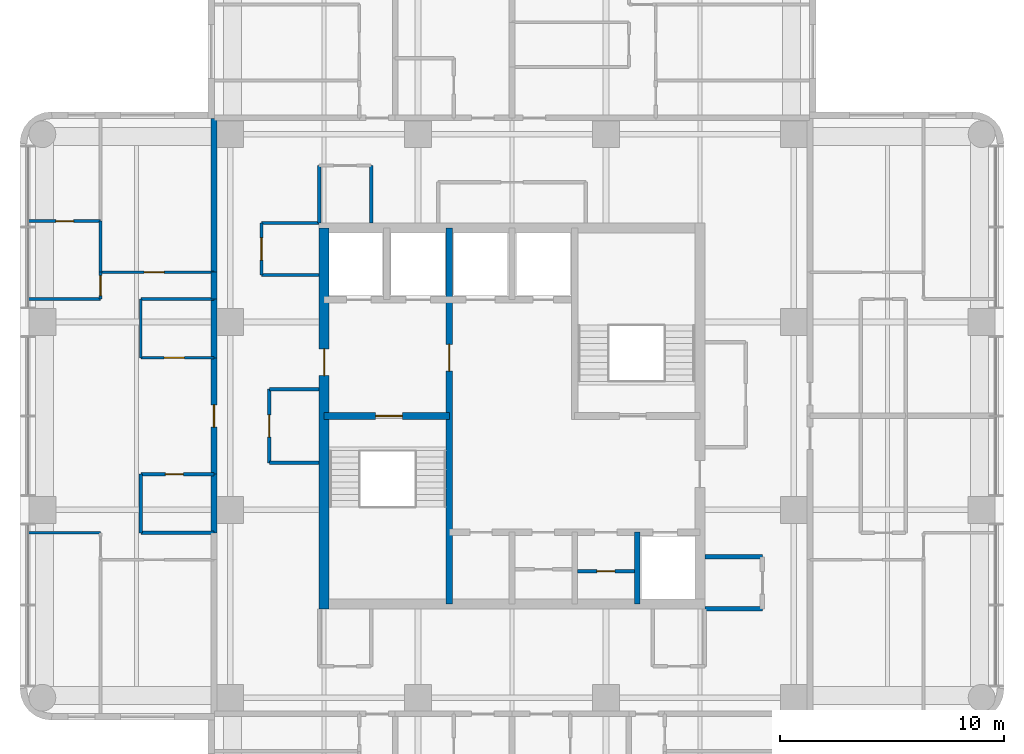
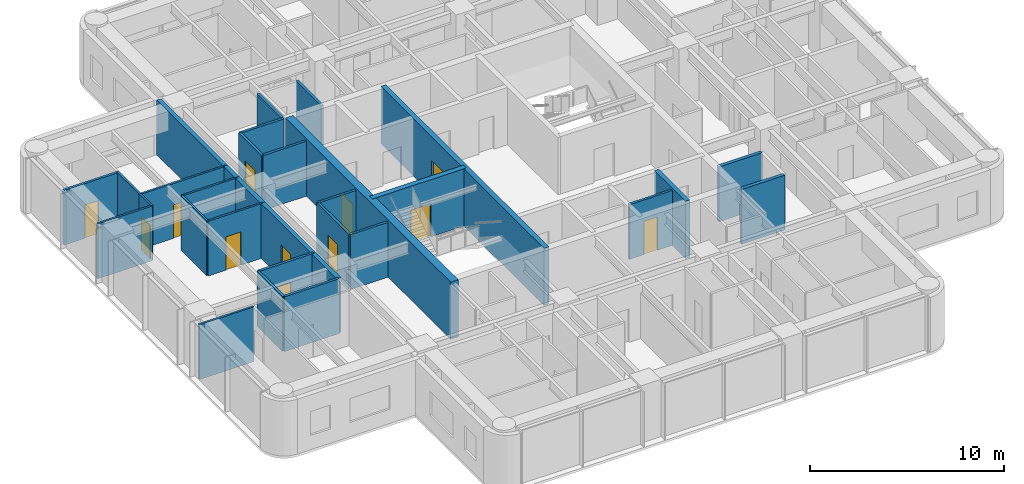
# One storey, part 5 of 10: 32 walls, 12 doors, 12 openings.
"""IFC4 building model written with IfcOpenShell, lengths in metres."""

import ifcopenshell
import ifcopenshell.guid

model = None  # the IFC model being written
_history = None  # IfcOwnerHistory: only IFC2X3 demands one
_inside = {}  # id of a spatial element -> (the spatial element, [elements in it])
_under = {}  # id of a project, library or spatial element -> (it, [spatial elements below it])
_declared = {}  # id of a project -> (the project, [libraries it declares])
_typed = {}  # id of a type object -> (the type object, [elements of that type])
_made_of = {}  # id of a material, layer set ... -> (it, [elements and type objects made of it])


def new_model(schema):
    """Start an empty IFC model of exactly this schema.

    Asked for "IFC4X3", IfcOpenShell would pick the latest addendum, in which some entities
    have other attributes; the version numbers below select the first issue.
    IFC2X3 requires an IfcOwnerHistory on every rooted entity: one is made here for all.
    """
    global model, _history
    if schema == "IFC4X3":
        model = ifcopenshell.file(schema_version=(4, 3, 0, 0))
    else:
        model = ifcopenshell.file(schema=schema)
    _inside.clear()
    _under.clear()
    _declared.clear()
    _typed.clear()
    _made_of.clear()
    _history = None
    if model.schema == "IFC2X3":
        org = make("IfcOrganization", Name="unknown")
        user = make(
            "IfcPersonAndOrganization",
            ThePerson=make("IfcPerson", FamilyName="unknown"),
            TheOrganization=org,
        )
        app = make(
            "IfcApplication",
            ApplicationDeveloper=org,
            Version="unknown",
            ApplicationFullName="unknown",
            ApplicationIdentifier="unknown",
        )
        _history = make(
            "IfcOwnerHistory",
            OwningUser=user,
            OwningApplication=app,
            ChangeAction="ADDED",
            CreationDate=0,
        )
    return model


def make(cls, **values):
    """One entity of the class cls with the attributes given. An attribute that is None is left unset."""
    return model.create_entity(
        cls, **{name: value for name, value in values.items() if value is not None}
    )


def rooted(cls, **values):
    """An entity with a GlobalId (a new one), such as an element, a storey or a relation."""
    return make(cls, GlobalId=ifcopenshell.guid.new(), OwnerHistory=_history, **values)


def si_unit(unit_type, name, prefix=None):
    """IfcSIUnit, for example si_unit("LENGTHUNIT", "METRE", prefix="MILLI")."""
    return make("IfcSIUnit", UnitType=unit_type, Prefix=prefix, Name=name)


def assignment(units):
    """IfcUnitAssignment: the units of a project."""
    return None if units is None else make("IfcUnitAssignment", Units=units)


def point(xyz):
    """IfcCartesianPoint."""
    return None if xyz is None else make("IfcCartesianPoint", Coordinates=xyz)


def direction(xyz):
    """IfcDirection."""
    return None if xyz is None else make("IfcDirection", DirectionRatios=xyz)


def frame(location, z_axis=None, x_axis=None):
    """IfcAxis2Placement3D, a coordinate frame: its origin and axes. An axis left out is left unset."""
    return make(
        "IfcAxis2Placement3D",
        Location=point(location),
        Axis=direction(z_axis),
        RefDirection=direction(x_axis),
    )


def frame_2d(location, x_axis=None):
    """IfcAxis2Placement2D, a coordinate frame in the plane: its origin and x axis."""
    return make(
        "IfcAxis2Placement2D", Location=point(location), RefDirection=direction(x_axis)
    )


def origin():
    """The frame at (0, 0, 0) with its axes left unset."""
    return frame((0.0, 0.0, 0.0))


def place(relative_to, where):
    """IfcLocalPlacement: puts the frame where relative to a parent placement (None: the world)."""
    return make(
        "IfcLocalPlacement", PlacementRelTo=relative_to, RelativePlacement=where
    )


def context(
    kind, dimensions, precision=None, world=None, true_north=None, identifier=None
):
    """IfcGeometricRepresentationContext, for example the 3D "Model" context."""
    return make(
        "IfcGeometricRepresentationContext",
        ContextIdentifier=identifier,
        ContextType=kind,
        CoordinateSpaceDimension=dimensions,
        Precision=precision,
        WorldCoordinateSystem=world,
        TrueNorth=true_north,
    )


def subcontext(parent, identifier, kind, view, scale=None):
    """IfcGeometricRepresentationSubContext, for example "Body" below "Model"."""
    return make(
        "IfcGeometricRepresentationSubContext",
        ContextIdentifier=identifier,
        ContextType=kind,
        ParentContext=parent,
        TargetScale=scale,
        TargetView=view,
    )


def project(units=None, contexts=None):
    """IfcProject with its units and contexts."""
    return rooted(
        "IfcProject",
        Name="project",
        RepresentationContexts=contexts,
        UnitsInContext=assignment(units),
    )


def spatial(cls, under=None, at=None, **own):
    """A site, building, storey or space (cls), placed at a placement, below another one or the project."""
    s = rooted(cls, ObjectPlacement=at, **own)
    if under is not None:
        _under.setdefault(under.id(), (under, []))[1].append(s)
    return s


def profile(cls, at=None, kind="AREA", **sizes):
    """A parametric profile (cls). Its sizes go by their IFC names, for example OverallWidth=200.0."""
    return make(cls, ProfileType=kind, Position=at, **sizes)


def rectangle(**sizes):
    """IfcRectangleProfileDef."""
    return profile("IfcRectangleProfileDef", **sizes)


def extrude(swept, where, along, depth):
    """IfcExtrudedAreaSolid: the profile swept, set in the frame where, extruded along a direction by depth."""
    return make(
        "IfcExtrudedAreaSolid",
        SweptArea=swept,
        Position=where,
        ExtrudedDirection=direction(along),
        Depth=depth,
    )


def shape(context_of_items, identifier, shape_type, items):
    """IfcShapeRepresentation: the items that make up one representation, for example the "Body"."""
    return make(
        "IfcShapeRepresentation",
        ContextOfItems=context_of_items,
        RepresentationIdentifier=identifier,
        RepresentationType=shape_type,
        Items=items,
    )


def material(Name=None, Category=None):
    """IfcMaterial."""
    return make("IfcMaterial", Name=Name, Category=Category)


def layer(
    of_material, thickness, ventilated=None, Name=None, Category=None, Priority=None
):
    """IfcMaterialLayer: one layer of a wall or slab, of a material (None: an air gap)."""
    return make(
        "IfcMaterialLayer",
        Material=of_material,
        LayerThickness=thickness,
        IsVentilated=ventilated,
        Name=Name,
        Category=Category,
        Priority=Priority,
    )


def layer_set(layers, Name=None):
    """IfcMaterialLayerSet."""
    return make("IfcMaterialLayerSet", MaterialLayers=layers, LayerSetName=Name)


def made_of(thing, what):
    """Note that an element or type object is made of a material, layer set ...; save() writes the relation."""
    if what is not None:
        _made_of.setdefault(what.id(), (what, []))[1].append(thing)
    return thing


def type_object(cls, material=None, **own):
    """A type object (cls), such as IfcWallType, which elements share."""
    return made_of(rooted(cls, **own), material)


def element(
    cls,
    number,
    at=None,
    inside=None,
    cuts=None,
    type_object=None,
    material=None,
    context=None,
    identifier="Body",
    shape_type=None,
    held_by="IfcProductDefinitionShape",
    body=None,
    shapes=None,
    **own,
):
    """One element of the class cls, such as IfcWall. Its Tag is "e" and its number.

    at: its placement. inside: the storey or other place that contains it. cuts: it is an
    opening in that element (IfcRelVoidsElement). A single representation is given by context,
    identifier, shape_type and body (its items); several are given by shapes. held_by: the class
    of the entity that holds the representations. save() writes the other relations.
    """
    e = rooted(cls, Tag="e%d" % number, ObjectPlacement=at, **own)
    if body is not None:
        shapes = [shape(context, identifier, shape_type, body)]
    if shapes is not None:
        e.Representation = make(held_by, Representations=shapes)
    if inside is not None:
        _inside.setdefault(inside.id(), (inside, []))[1].append(e)
    if cuts is not None:
        rooted(
            "IfcRelVoidsElement", RelatingBuildingElement=cuts, RelatedOpeningElement=e
        )
    if type_object is not None:
        _typed.setdefault(type_object.id(), (type_object, []))[1].append(e)
    return made_of(e, material)


def fill(opening, filler):
    """IfcRelFillsElement: the door or window that sits in an opening."""
    return rooted(
        "IfcRelFillsElement",
        RelatingOpeningElement=opening,
        RelatedBuildingElement=filler,
    )


def aggregate(whole, parts):
    """IfcRelAggregates: a whole, such as a stair, and the parts it consists of."""
    return rooted("IfcRelAggregates", RelatingObject=whole, RelatedObjects=parts)


def save(model, path):
    """Write the relations noted so far, then the file.

    IfcRelAggregates (storeys below a building ...), IfcRelContainedInSpatialStructure (elements
    in a storey), IfcRelDefinesByType, IfcRelAssociatesMaterial and IfcRelDeclares: one each for
    every whole, place, type object, material and project.
    """
    for whole, parts in _under.values():
        aggregate(whole, parts)
    for where, things in _inside.values():
        rooted(
            "IfcRelContainedInSpatialStructure",
            RelatedElements=things,
            RelatingStructure=where,
        )
    for kind, things in _typed.values():
        rooted("IfcRelDefinesByType", RelatedObjects=things, RelatingType=kind)
    for what, things in _made_of.values():
        rooted("IfcRelAssociatesMaterial", RelatedObjects=things, RelatingMaterial=what)
    for by, libraries in _declared.values():
        rooted("IfcRelDeclares", RelatingContext=by, RelatedDefinitions=libraries)
    model.write(path)


model = new_model("IFC4")

# Units and contexts
model_context = context("Model", 3, precision=1e-05, world=origin(), true_north=direction((0.0, 1.0)))
body_context = subcontext(model_context, "Body", "Model", "MODEL_VIEW")
ifc_project = project(units=[si_unit("LENGTHUNIT", "METRE"), si_unit("AREAUNIT", "SQUARE_METRE"), si_unit("VOLUMEUNIT", "CUBIC_METRE"), si_unit("PLANEANGLEUNIT", "RADIAN"), si_unit("MASSUNIT", "GRAM", prefix="KILO")], contexts=[model_context])

# Site, building, storey
site_placement = place(None, origin())
site = spatial("IfcSite", under=ifc_project, at=site_placement, CompositionType="ELEMENT")
building_placement = place(site_placement, origin())
building = spatial("IfcBuilding", under=site, at=building_placement, Name="Torre Alcanfor", CompositionType="ELEMENT")
storey_placement = place(building_placement, frame((0.0, 0.0, 275.699951171875)))
storey = spatial("IfcBuildingStorey", under=building, at=storey_placement, Name="L72", CompositionType="ELEMENT", Elevation=275.699951171875)

# Wall, opening, door
ifc_material_1 = material(Name="Concrete block masonry, hollow blocks NMX-C-404 9 MPa", Category="masonry")
ifc_layer_1 = layer(ifc_material_1, 0.25)
ifc_layer_set_1 = layer_set([ifc_layer_1], Name="Apartment entrance wall 250 EI 60")
wall_type_1 = type_object("IfcWallType", Name="Apartment entrance wall 250 EI 60", PredefinedType="PARTITIONING", material=ifc_layer_set_1)
wall_1_placement = place(storey_placement, frame((16.074951171875, 26.800048828125, 0.0), z_axis=(0.0, 0.0, 1.0), x_axis=(0.0, 1.0, 0.0)))
wall_1 = element("IfcWall", 1, at=wall_1_placement, inside=storey, type_object=wall_type_1, Name="Partition L72-CORR / L72-WX-ZAG", PredefinedType="PARTITIONING", context=body_context, shape_type="SweptSolid", body=[
    extrude(rectangle(XDim=5.199951171875, YDim=0.25, at=frame_2d((2.60009765625, 0.0))), origin(), (0.0, 0.0, 1.0), 3.449951171875),
])
opening_1_placement = place(wall_1_placement, frame((2.10009765625, 0.0, 0.0)))
opening_1 = element("IfcOpeningElement", 2, at=opening_1_placement, cuts=wall_1, Name="Opening D-A1", PredefinedType="OPENING", context=body_context, shape_type="SweptSolid", body=[
    extrude(rectangle(XDim=1.0, YDim=2.10009765625, at=frame_2d((0.5, 1.050048828125))), frame((0.0, 0.135009765625, 0.0), z_axis=(0.0, -1.0, 0.0), x_axis=(1.0, 0.0, 0.0)), (0.0, 0.0, 1.0), 0.27001953125),
])
ifc_material_2 = material(Name="Galvanised steel sheet ASTM A653", Category="steel")
door_type_1 = type_object("IfcDoorType", Name="Apartment entrance door FD60 1000x2100", OperationType="SINGLE_SWING_LEFT", PredefinedType="DOOR", material=ifc_material_2)
door_1_placement = place(opening_1_placement, origin())
door_1 = element("IfcDoor", 3, at=door_1_placement, inside=storey, type_object=door_type_1, Name="Apartment entrance L72-WX", OperationType="SINGLE_SWING_LEFT", OverallHeight=2.10009765625, OverallWidth=1.0, PredefinedType="DOOR", context=body_context, shape_type="SweptSolid", body=[
    extrude(rectangle(XDim=1.0, YDim=2.10009765625, at=frame_2d((0.5, 1.050048828125))), frame((0.0, 0.02490234375, 0.0), z_axis=(0.0, -1.0, 0.0), x_axis=(1.0, 0.0, 0.0)), (0.0, 0.0, 1.0), 0.050048828125),
])
fill(opening_1, door_1)

# Walls
wall_2_placement = place(storey_placement, frame((16.074951171875, 24.1708984375, 0.0), z_axis=(0.0, 0.0, 1.0), x_axis=(0.0, 1.0, 0.0)))
element("IfcWall", 4, at=wall_2_placement, inside=storey, type_object=wall_type_1, Name="Partition L72-CORR / L72-WX-BATH2", PredefinedType="PARTITIONING", context=body_context, shape_type="SweptSolid", body=[
    extrude(rectangle(XDim=2.629150390625, YDim=0.25, at=frame_2d((1.314453125, 0.0))), origin(), (0.0, 0.0, 1.0), 3.449951171875),
])
wall_3_placement = place(storey_placement, frame((16.074951171875, 32.0, 0.0), z_axis=(0.0, 0.0, 1.0), x_axis=(0.0, 1.0, 0.0)))
element("IfcWall", 5, at=wall_3_placement, inside=storey, type_object=wall_type_1, Name="Partition L72-CORR / L72-WX-KITCHEN", PredefinedType="PARTITIONING", context=body_context, shape_type="SweptSolid", body=[
    extrude(rectangle(XDim=2.62890625, YDim=0.25, at=frame_2d((1.314453125, 0.0))), origin(), (0.0, 0.0, 1.0), 3.449951171875),
])
wall_4_placement = place(storey_placement, frame((16.074951171875, 34.62890625, 0.0), z_axis=(0.0, 0.0, 1.0), x_axis=(0.0, 1.0, 0.0)))
element("IfcWall", 6, at=wall_4_placement, inside=storey, type_object=wall_type_1, Name="Partition L72-CORR / L72-WX-LIVING", PredefinedType="PARTITIONING", context=body_context, shape_type="SweptSolid", body=[
    extrude(rectangle(XDim=1.2001953125, YDim=0.25, at=frame_2d((0.60009765625, 0.0))), origin(), (0.0, 0.0, 1.0), 3.449951171875),
])
wall_5_placement = place(storey_placement, frame((16.074951171875, 35.8291015625, 0.0), z_axis=(0.0, 0.0, 1.0), x_axis=(0.0, 1.0, 0.0)))
element("IfcWall", 7, at=wall_5_placement, inside=storey, type_object=wall_type_1, Name="Partition L72-CORR / L72-WX-BED3", PredefinedType="PARTITIONING", context=body_context, shape_type="SweptSolid", body=[
    extrude(rectangle(XDim=6.870849609375, YDim=0.25, at=frame_2d((3.435546875, 0.0))), origin(), (0.0, 0.0, 1.0), 3.449951171875),
])

# Wall, opening, door
ifc_material_3 = material(Name="Gypsum board on steel studs", Category="steel")
ifc_layer_2 = layer(ifc_material_3, 0.1201171875)
ifc_layer_set_2 = layer_set([ifc_layer_2], Name="Apartment partition 120")
wall_type_2 = type_object("IfcWallType", Name="Apartment partition 120", PredefinedType="PARTITIONING", material=ifc_layer_set_2)
wall_6_placement = place(storey_placement, frame((16.074951171875, 32.0, 0.0), z_axis=(0.0, 0.0, 1.0), x_axis=(-1.0, 0.0, 0.0)))
wall_6 = element("IfcWall", 8, at=wall_6_placement, inside=storey, type_object=wall_type_2, Name="Partition L72-WX-ZAG / L72-WX-KITCHEN", PredefinedType="PARTITIONING", context=body_context, shape_type="SweptSolid", body=[
    extrude(rectangle(XDim=3.27490234375, YDim=0.1201171875, at=frame_2d((1.637451171875, 0.0))), origin(), (0.0, 0.0, 1.0), 3.449951171875),
])
opening_2_placement = place(wall_6_placement, frame((1.324951171875, 0.0, 0.0)))
opening_2 = element("IfcOpeningElement", 9, at=opening_2_placement, cuts=wall_6, Name="Opening D-R1", PredefinedType="OPENING", context=body_context, shape_type="SweptSolid", body=[
    extrude(rectangle(XDim=0.89990234375, YDim=2.10009765625, at=frame_2d((0.449951171875, 1.050048828125))), frame((0.0, 0.070068359375, 0.0), z_axis=(0.0, -1.0, 0.0), x_axis=(1.0, 0.0, 0.0)), (0.0, 0.0, 1.0), 0.14013671875),
])
ifc_material_4 = material(Name="Timber", Category="wood")
door_type_2 = type_object("IfcDoorType", Name="Internal door 900x2100", OperationType="SINGLE_SWING_LEFT", PredefinedType="DOOR", material=ifc_material_4)
door_2_placement = place(opening_2_placement, frame((0.89990234375, 0.0, 0.0), z_axis=(0.0, 0.0, 1.0), x_axis=(-1.0, 0.0, 0.0)))
door_2 = element("IfcDoor", 10, at=door_2_placement, inside=storey, type_object=door_type_2, Name="Door L72-WX kitchen", OperationType="SINGLE_SWING_LEFT", OverallHeight=2.10009765625, OverallWidth=0.89990234375, PredefinedType="DOOR", context=body_context, shape_type="SweptSolid", body=[
    extrude(rectangle(XDim=0.89990234375, YDim=2.10009765625, at=frame_2d((0.449951171875, 1.050048828125))), frame((0.0, 0.025146484375, 0.0), z_axis=(0.0, -1.0, 0.0), x_axis=(1.0, 0.0, 0.0)), (0.0, 0.0, 1.0), 0.050048828125),
])
fill(opening_2, door_2)

# Walls
wall_7_placement = place(storey_placement, frame((16.074951171875, 34.62890625, 0.0), z_axis=(0.0, 0.0, 1.0), x_axis=(-1.0, 0.0, 0.0)))
element("IfcWall", 11, at=wall_7_placement, inside=storey, type_object=wall_type_2, Name="Partition L72-WX-KITCHEN / L72-WX-LIVING", PredefinedType="PARTITIONING", context=body_context, shape_type="SweptSolid", body=[
    extrude(rectangle(XDim=3.27490234375, YDim=0.1201171875, at=frame_2d((1.637451171875, 0.0))), origin(), (0.0, 0.0, 1.0), 3.449951171875),
])
wall_8_placement = place(storey_placement, frame((12.800048828125, 34.62890625, 0.0), z_axis=(0.0, 0.0, 1.0), x_axis=(0.0, -1.0, 0.0)))
element("IfcWall", 12, at=wall_8_placement, inside=storey, type_object=wall_type_2, Name="Partition L72-WX-KITCHEN / L72-WX-LIVING", PredefinedType="PARTITIONING", context=body_context, shape_type="SweptSolid", body=[
    extrude(rectangle(XDim=2.62890625, YDim=0.1201171875, at=frame_2d((1.314453125, 0.0))), origin(), (0.0, 0.0, 1.0), 3.449951171875),
])
wall_9_placement = place(storey_placement, frame((11.0, 24.1708984375, 0.0), z_axis=(0.0, 0.0, 1.0), x_axis=(-1.0, 0.0, 0.0)))
element("IfcWall", 13, at=wall_9_placement, inside=storey, type_object=wall_type_2, Name="Partition L72-WX-LIVING / L72-WX-MASTER", PredefinedType="PARTITIONING", context=body_context, shape_type="SweptSolid", body=[
    extrude(rectangle(XDim=3.25, YDim=0.1201171875, at=frame_2d((1.625, 0.0))), origin(), (0.0, 0.0, 1.0), 3.449951171875),
])

# Wall, opening, door
wall_10_placement = place(storey_placement, frame((11.0, 35.8291015625, 0.0), z_axis=(0.0, 0.0, 1.0), x_axis=(1.0, 0.0, 0.0)))
wall_10 = element("IfcWall", 14, at=wall_10_placement, inside=storey, type_object=wall_type_2, Name="Partition L72-WX-LIVING / L72-WX-BED3", PredefinedType="PARTITIONING", context=body_context, shape_type="SweptSolid", body=[
    extrude(rectangle(XDim=5.074951171875, YDim=0.1201171875, at=frame_2d((2.53759765625, 0.0))), origin(), (0.0, 0.0, 1.0), 3.449951171875),
])
opening_3_placement = place(wall_10_placement, frame((1.949951171875, 0.0, 0.0)))
opening_3 = element("IfcOpeningElement", 15, at=opening_3_placement, cuts=wall_10, Name="Opening D-R1", PredefinedType="OPENING", context=body_context, shape_type="SweptSolid", body=[
    extrude(rectangle(XDim=0.89990234375, YDim=2.10009765625, at=frame_2d((0.449951171875, 1.050048828125))), frame((0.0, 0.070068359375, 0.0), z_axis=(0.0, -1.0, 0.0), x_axis=(1.0, 0.0, 0.0)), (0.0, 0.0, 1.0), 0.14013671875),
])
door_3_placement = place(opening_3_placement, origin())
door_3 = element("IfcDoor", 16, at=door_3_placement, inside=storey, type_object=door_type_2, Name="Door L72-WX bed3", OperationType="SINGLE_SWING_LEFT", OverallHeight=2.10009765625, OverallWidth=0.89990234375, PredefinedType="DOOR", context=body_context, shape_type="SweptSolid", body=[
    extrude(rectangle(XDim=0.89990234375, YDim=2.10009765625, at=frame_2d((0.449951171875, 1.050048828125))), frame((0.0, 0.02490234375, 0.0), z_axis=(0.0, -1.0, 0.0), x_axis=(1.0, 0.0, 0.0)), (0.0, 0.0, 1.0), 0.050048828125),
])
fill(opening_3, door_3)

# Wall
wall_11_placement = place(storey_placement, frame((7.75, 34.62890625, 0.0), z_axis=(0.0, 0.0, 1.0), x_axis=(1.0, 0.0, 0.0)))
element("IfcWall", 17, at=wall_11_placement, inside=storey, type_object=wall_type_2, Name="Partition L72-WX-LIVING / L72-WX-BED1", PredefinedType="PARTITIONING", context=body_context, shape_type="SweptSolid", body=[
    extrude(rectangle(XDim=3.25, YDim=0.1201171875, at=frame_2d((1.625, 0.0))), origin(), (0.0, 0.0, 1.0), 3.449951171875),
])

# Wall, opening, door
wall_12_placement = place(storey_placement, frame((11.0, 34.62890625, 0.0), z_axis=(0.0, 0.0, 1.0), x_axis=(0.0, 1.0, 0.0)))
wall_12 = element("IfcWall", 18, at=wall_12_placement, inside=storey, type_object=wall_type_2, Name="Partition L72-WX-LIVING / L72-WX-BED1", PredefinedType="PARTITIONING", context=body_context, shape_type="SweptSolid", body=[
    extrude(rectangle(XDim=1.2001953125, YDim=0.1201171875, at=frame_2d((0.60009765625, 0.0))), origin(), (0.0, 0.0, 1.0), 3.449951171875),
])
opening_4_placement = place(wall_12_placement, frame((0.15087890625, 0.0, 0.0)))
opening_4 = element("IfcOpeningElement", 19, at=opening_4_placement, cuts=wall_12, Name="Opening D-R1", PredefinedType="OPENING", context=body_context, shape_type="SweptSolid", body=[
    extrude(rectangle(XDim=0.89990234375, YDim=2.10009765625, at=frame_2d((0.449951171875, 1.050048828125))), frame((0.0, 0.070068359375, 0.0), z_axis=(0.0, -1.0, 0.0), x_axis=(1.0, 0.0, 0.0)), (0.0, 0.0, 1.0), 0.14013671875),
])
door_4_placement = place(opening_4_placement, origin())
door_4 = element("IfcDoor", 20, at=door_4_placement, inside=storey, type_object=door_type_2, Name="Door L72-WX bed1", OperationType="SINGLE_SWING_LEFT", OverallHeight=2.10009765625, OverallWidth=0.89990234375, PredefinedType="DOOR", context=body_context, shape_type="SweptSolid", body=[
    extrude(rectangle(XDim=0.89990234375, YDim=2.10009765625, at=frame_2d((0.449951171875, 1.050048828125))), frame((0.0, 0.02490234375, 0.0), z_axis=(0.0, -1.0, 0.0), x_axis=(1.0, 0.0, 0.0)), (0.0, 0.0, 1.0), 0.050048828125),
])
fill(opening_4, door_4)

# Wall
wall_13_placement = place(storey_placement, frame((11.0, 38.114013671875, 0.0), z_axis=(0.0, 0.0, 1.0), x_axis=(0.0, -1.0, 0.0)))
element("IfcWall", 21, at=wall_13_placement, inside=storey, type_object=wall_type_2, Name="Partition L72-WX-BED3 / L72-WX-BED1", PredefinedType="PARTITIONING", context=body_context, shape_type="SweptSolid", body=[
    extrude(rectangle(XDim=2.284912109375, YDim=0.1201171875, at=frame_2d((1.142578125, 0.0))), origin(), (0.0, 0.0, 1.0), 3.449951171875),
])

# Wall, opening, door
ifc_material_5 = material(Name="Concrete f'c 70 MPa", Category="concrete")
ifc_layer_3 = layer(ifc_material_5, 0.300048828125)
ifc_layer_set_3 = layer_set([ifc_layer_3], Name="Core inner wall 300 f'c70")
wall_type_3 = type_object("IfcWallType", Name="Core inner wall 300 f'c70", PredefinedType="SHEAR", material=ifc_layer_set_3)
wall_14_placement = place(storey_placement, frame((26.60009765625, 21.0, 0.0), z_axis=(0.0, 0.0, 1.0), x_axis=(0.0, 1.0, 0.0)))
wall_14 = element("IfcWall", 22, at=wall_14_placement, inside=storey, type_object=wall_type_3, Name="Core wall X266 L72", PredefinedType="SHEAR", context=body_context, shape_type="SweptSolid", body=[
    extrude(rectangle(XDim=16.800048828125, YDim=0.300048828125, at=frame_2d((8.39990234375, 0.0))), origin(), (0.0, 0.0, 1.0), 3.60009765625),
])
opening_5_placement = place(wall_14_placement, frame((10.39990234375, 0.0, 0.0)))
opening_5 = element("IfcOpeningElement", 23, at=opening_5_placement, cuts=wall_14, Name="Opening D-L1", PredefinedType="OPENING", context=body_context, shape_type="SweptSolid", body=[
    extrude(rectangle(XDim=1.199951171875, YDim=2.10009765625, at=frame_2d((0.60009765625, 1.050048828125))), frame((0.0, 0.159912109375, 0.0), z_axis=(0.0, -1.0, 0.0), x_axis=(1.0, 0.0, 0.0)), (0.0, 0.0, 1.0), 0.320068359375),
])
ifc_material_6 = material(Name="Galvanised steel sheet ASTM A653", Category="steel")
door_type_3 = type_object("IfcDoorType", Name="Lobby door FD120 1200x2100", OperationType="SINGLE_SWING_LEFT", PredefinedType="DOOR", material=ifc_material_6)
door_5_placement = place(opening_5_placement, origin())
door_5 = element("IfcDoor", 24, at=door_5_placement, inside=storey, type_object=door_type_3, Name="Lift lobby door L72", OperationType="SINGLE_SWING_LEFT", OverallHeight=2.10009765625, OverallWidth=1.199951171875, PredefinedType="DOOR", context=body_context, shape_type="SweptSolid", body=[
    extrude(rectangle(XDim=1.199951171875, YDim=2.10009765625, at=frame_2d((0.60009765625, 1.050048828125))), frame((0.0, 0.02490234375, 0.0), z_axis=(0.0, -1.0, 0.0), x_axis=(1.0, 0.0, 0.0)), (0.0, 0.0, 1.0), 0.050048828125),
])
fill(opening_5, door_5)

wall_15_placement = place(storey_placement, frame((21.0, 29.39990234375, 0.0), z_axis=(0.0, 0.0, 1.0), x_axis=(1.0, 0.0, 0.0)))
wall_15 = element("IfcWall", 25, at=wall_15_placement, inside=storey, type_object=wall_type_3, Name="Core wall Y294W L72", PredefinedType="SHEAR", context=body_context, shape_type="SweptSolid", body=[
    extrude(rectangle(XDim=5.60009765625, YDim=0.300048828125, at=frame_2d((2.800048828125, 0.0))), origin(), (0.0, 0.0, 1.0), 3.60009765625),
])
opening_6_placement = place(wall_15_placement, frame((2.300048828125, 0.0, 0.0)))
opening_6 = element("IfcOpeningElement", 26, at=opening_6_placement, cuts=wall_15, Name="Opening D-S2", PredefinedType="OPENING", context=body_context, shape_type="SweptSolid", body=[
    extrude(rectangle(XDim=1.199951171875, YDim=2.10009765625, at=frame_2d((0.60009765625, 1.050048828125))), frame((0.0, 0.159912109375, 0.0), z_axis=(0.0, -1.0, 0.0), x_axis=(1.0, 0.0, 0.0)), (0.0, 0.0, 1.0), 0.320068359375),
])
ifc_material_7 = material(Name="Galvanised steel sheet ASTM A653", Category="steel")
door_type_4 = type_object("IfcDoorType", Name="Stair enclosure door FD120 1200x2100", OperationType="SINGLE_SWING_LEFT", PredefinedType="DOOR", material=ifc_material_7)
door_6_placement = place(opening_6_placement, frame((1.199951171875, 0.0, 0.0), z_axis=(0.0, 0.0, 1.0), x_axis=(-1.0, 0.0, 0.0)))
door_6 = element("IfcDoor", 27, at=door_6_placement, inside=storey, type_object=door_type_4, Name="Stair S1 door L72", OperationType="SINGLE_SWING_LEFT", OverallHeight=2.10009765625, OverallWidth=1.199951171875, PredefinedType="DOOR", context=body_context, shape_type="SweptSolid", body=[
    extrude(rectangle(XDim=1.199951171875, YDim=2.10009765625, at=frame_2d((0.599853515625, 1.050048828125))), frame((0.0, 0.025146484375, 0.0), z_axis=(0.0, -1.0, 0.0), x_axis=(1.0, 0.0, 0.0)), (0.0, 0.0, 1.0), 0.050048828125),
])
fill(opening_6, door_6)

# Wall
ifc_material_8 = material(Name="Concrete f'c 70 MPa", Category="concrete")
ifc_layer_4 = layer(ifc_material_8, 0.25)
ifc_layer_set_4 = layer_set([ifc_layer_4], Name="Core shaft wall 250 f'c70")
wall_type_4 = type_object("IfcWallType", Name="Core shaft wall 250 f'c70", PredefinedType="SHEAR", material=ifc_layer_set_4)
wall_16_placement = place(storey_placement, frame((35.0, 21.0, 0.0), z_axis=(0.0, 0.0, 1.0), x_axis=(0.0, 1.0, 0.0)))
element("IfcWall", 28, at=wall_16_placement, inside=storey, type_object=wall_type_4, Name="Core wall X350S L72", PredefinedType="SHEAR", context=body_context, shape_type="SweptSolid", body=[
    extrude(rectangle(XDim=3.199951171875, YDim=0.25, at=frame_2d((1.60009765625, 0.0))), origin(), (0.0, 0.0, 1.0), 3.60009765625),
])

# Wall, opening, door
ifc_material_9 = material(Name="Concrete f'c 70 MPa", Category="concrete")
ifc_layer_5 = layer(ifc_material_9, 0.449951171875)
ifc_layer_set_5 = layer_set([ifc_layer_5], Name="Core wall 450 f'c70")
wall_type_5 = type_object("IfcWallType", Name="Core wall 450 f'c70", PredefinedType="SHEAR", material=ifc_layer_set_5)
wall_17_placement = place(storey_placement, frame((21.0, 37.800048828125, 0.0), z_axis=(0.0, 0.0, 1.0), x_axis=(0.0, -1.0, 0.0)))
wall_17 = element("IfcWall", 29, at=wall_17_placement, inside=storey, type_object=wall_type_5, Name="Core wall OUT-W L72", PredefinedType="SHEAR", context=body_context, shape_type="SweptSolid", body=[
    extrude(rectangle(XDim=17.025146484375, YDim=0.449951171875, at=frame_2d((8.5126953125, 0.0))), origin(), (0.0, 0.0, 1.0), 3.60009765625),
])
opening_7_placement = place(wall_17_placement, frame((5.39990234375, 0.0, 0.0)))
opening_7 = element("IfcOpeningElement", 30, at=opening_7_placement, cuts=wall_17, Name="Opening D-L1", PredefinedType="OPENING", context=body_context, shape_type="SweptSolid", body=[
    extrude(rectangle(XDim=1.199951171875, YDim=2.10009765625, at=frame_2d((0.60009765625, 1.050048828125))), frame((0.0, 0.23486328125, 0.0), z_axis=(0.0, -1.0, 0.0), x_axis=(1.0, 0.0, 0.0)), (0.0, 0.0, 1.0), 0.469970703125),
])
door_7_placement = place(opening_7_placement, origin())
door_7 = element("IfcDoor", 31, at=door_7_placement, inside=storey, type_object=door_type_3, Name="Firefighting lobby door L72", OperationType="SINGLE_SWING_RIGHT", OverallHeight=2.10009765625, OverallWidth=1.199951171875, PredefinedType="DOOR", context=body_context, shape_type="SweptSolid", body=[
    extrude(rectangle(XDim=1.199951171875, YDim=2.10009765625, at=frame_2d((0.60009765625, 1.050048828125))), frame((0.0, 0.02490234375, 0.0), z_axis=(0.0, -1.0, 0.0), x_axis=(1.0, 0.0, 0.0)), (0.0, 0.0, 1.0), 0.050048828125),
])
fill(opening_7, door_7)

# Walls
ifc_material_10 = material(Name="Concrete block masonry, hollow blocks NMX-C-404 9 MPa", Category="masonry")
ifc_layer_6 = layer(ifc_material_10, 0.199951171875)
ifc_layer_set_6 = layer_set([ifc_layer_6], Name="Plant room wall 200 EI 60")
wall_type_6 = type_object("IfcWallType", Name="Plant room wall 200 EI 60", PredefinedType="PARTITIONING", material=ifc_layer_set_6)
for number, where, z_axis, x_axis, name in (
    (32, (38.02490234375, 20.77490234375, 0.0), (0.0, 0.0, 1.0), (1.0, 0.0, 0.0), "Partition L72-CORR / L72-G03"),
    (33, (40.60009765625, 23.10009765625, 0.0), (0.0, 0.0, 1.0), (-1.0, 0.0, 0.0), "Partition L72-CORR / L72-G03"),
):
    element("IfcWall", number, at=place(storey_placement, frame(where, z_axis=z_axis, x_axis=x_axis)), inside=storey, type_object=wall_type_6, Name=name, PredefinedType="PARTITIONING", context=body_context, shape_type="SweptSolid", body=[
        extrude(rectangle(XDim=2.5751953125, YDim=0.199951171875, at=frame_2d((1.28759765625, 0.0))), origin(), (0.0, 0.0, 1.0), 3.449951171875),
    ])
ifc_material_11 = material(Name="Concrete block masonry, hollow blocks NMX-C-404 9 MPa", Category="masonry")
ifc_layer_7 = layer(ifc_material_11, 0.14990234375)
ifc_layer_set_7 = layer_set([ifc_layer_7], Name="Residents' room partition 150")
wall_type_7 = type_object("IfcWallType", Name="Residents' room partition 150", PredefinedType="PARTITIONING", material=ifc_layer_set_7)
for number, where, z_axis, x_axis, name in (
    (34, (23.10009765625, 38.02490234375, 0.0), (0.0, 0.0, 1.0), (0.0, 1.0, 0.0), "Partition L72-CORR / L72-G01"),
    (35, (20.77490234375, 40.60009765625, 0.0), (0.0, 0.0, 1.0), (0.0, -1.0, 0.0), "Partition L72-CORR / L72-G01"),
):
    element("IfcWall", number, at=place(storey_placement, frame(where, z_axis=z_axis, x_axis=x_axis)), inside=storey, type_object=wall_type_7, Name=name, PredefinedType="PARTITIONING", context=body_context, shape_type="SweptSolid", body=[
        extrude(rectangle(XDim=2.5751953125, YDim=0.14990234375, at=frame_2d((1.28759765625, 0.0))), origin(), (0.0, 0.0, 1.0), 3.449951171875),
    ])
wall_18_placement = place(storey_placement, frame((20.77490234375, 30.60009765625, 0.0), z_axis=(0.0, 0.0, 1.0), x_axis=(-1.0, 0.0, 0.0)))
element("IfcWall", 36, at=wall_18_placement, inside=storey, type_object=wall_type_7, Name="Partition L72-CORR / L72-G07", PredefinedType="PARTITIONING", context=body_context, shape_type="SweptSolid", body=[
    extrude(rectangle(XDim=2.224853515625, YDim=0.14990234375, at=frame_2d((1.1123046875, 0.0))), origin(), (0.0, 0.0, 1.0), 3.449951171875),
])

# Wall, opening, door
wall_19_placement = place(storey_placement, frame((18.550048828125, 30.60009765625, 0.0), z_axis=(0.0, 0.0, 1.0), x_axis=(0.0, -1.0, 0.0)))
wall_19 = element("IfcWall", 37, at=wall_19_placement, inside=storey, type_object=wall_type_7, Name="Partition L72-CORR / L72-G07", PredefinedType="PARTITIONING", context=body_context, shape_type="SweptSolid", body=[
    extrude(rectangle(XDim=3.300048828125, YDim=0.14990234375, at=frame_2d((1.64990234375, 0.0))), origin(), (0.0, 0.0, 1.0), 3.449951171875),
])
opening_8_placement = place(wall_19_placement, frame((1.14990234375, 0.0, 0.0)))
opening_8 = element("IfcOpeningElement", 38, at=opening_8_placement, cuts=wall_19, Name="Opening D-M1", PredefinedType="OPENING", context=body_context, shape_type="SweptSolid", body=[
    extrude(rectangle(XDim=1.0, YDim=2.10009765625, at=frame_2d((0.5, 1.050048828125))), frame((0.0, 0.0849609375, 0.0), z_axis=(0.0, -1.0, 0.0), x_axis=(1.0, 0.0, 0.0)), (0.0, 0.0, 1.0), 0.169921875),
])
ifc_material_12 = material(Name="Timber", Category="wood")
door_type_5 = type_object("IfcDoorType", Name="Residents' room door 1000x2100", OperationType="SINGLE_SWING_LEFT", PredefinedType="DOOR", material=ifc_material_12)
door_8_placement = place(opening_8_placement, origin())
door_8 = element("IfcDoor", 39, at=door_8_placement, inside=storey, type_object=door_type_5, Name="Door L72-G07 parcel room", OperationType="SINGLE_SWING_LEFT", OverallHeight=2.10009765625, OverallWidth=1.0, PredefinedType="DOOR", context=body_context, shape_type="SweptSolid", body=[
    extrude(rectangle(XDim=1.0, YDim=2.10009765625, at=frame_2d((0.5, 1.050048828125))), frame((0.0, 0.02490234375, 0.0), z_axis=(0.0, -1.0, 0.0), x_axis=(1.0, 0.0, 0.0)), (0.0, 0.0, 1.0), 0.050048828125),
])
fill(opening_8, door_8)

# Walls
wall_20_placement = place(storey_placement, frame((18.550048828125, 27.300048828125, 0.0), z_axis=(0.0, 0.0, 1.0), x_axis=(1.0, 0.0, 0.0)))
element("IfcWall", 40, at=wall_20_placement, inside=storey, type_object=wall_type_7, Name="Partition L72-CORR / L72-G07", PredefinedType="PARTITIONING", context=body_context, shape_type="SweptSolid", body=[
    extrude(rectangle(XDim=2.224853515625, YDim=0.14990234375, at=frame_2d((1.1123046875, 0.0))), origin(), (0.0, 0.0, 1.0), 3.449951171875),
])
wall_21_placement = place(storey_placement, frame((20.77490234375, 38.02490234375, 0.0), z_axis=(0.0, 0.0, 1.0), x_axis=(-1.0, 0.0, 0.0)))
element("IfcWall", 41, at=wall_21_placement, inside=storey, type_object=wall_type_7, Name="Partition L72-CORR / L72-G08", PredefinedType="PARTITIONING", context=body_context, shape_type="SweptSolid", body=[
    extrude(rectangle(XDim=2.574951171875, YDim=0.14990234375, at=frame_2d((1.28759765625, 0.0))), origin(), (0.0, 0.0, 1.0), 3.449951171875),
])

# Wall, opening, door
wall_22_placement = place(storey_placement, frame((18.199951171875, 38.02490234375, 0.0), z_axis=(0.0, 0.0, 1.0), x_axis=(0.0, -1.0, 0.0)))
wall_22 = element("IfcWall", 42, at=wall_22_placement, inside=storey, type_object=wall_type_7, Name="Partition L72-CORR / L72-G08", PredefinedType="PARTITIONING", context=body_context, shape_type="SweptSolid", body=[
    extrude(rectangle(XDim=2.324951171875, YDim=0.14990234375, at=frame_2d((1.16259765625, 0.0))), origin(), (0.0, 0.0, 1.0), 3.449951171875),
])
opening_9_placement = place(wall_22_placement, frame((0.66259765625, 0.0, 0.0)))
opening_9 = element("IfcOpeningElement", 43, at=opening_9_placement, cuts=wall_22, Name="Opening D-M1", PredefinedType="OPENING", context=body_context, shape_type="SweptSolid", body=[
    extrude(rectangle(XDim=1.0, YDim=2.10009765625, at=frame_2d((0.5, 1.050048828125))), frame((0.0, 0.0849609375, 0.0), z_axis=(0.0, -1.0, 0.0), x_axis=(1.0, 0.0, 0.0)), (0.0, 0.0, 1.0), 0.169921875),
])
door_9_placement = place(opening_9_placement, origin())
door_9 = element("IfcDoor", 44, at=door_9_placement, inside=storey, type_object=door_type_5, Name="Door L72-G08 parcel room", OperationType="SINGLE_SWING_LEFT", OverallHeight=2.10009765625, OverallWidth=1.0, PredefinedType="DOOR", context=body_context, shape_type="SweptSolid", body=[
    extrude(rectangle(XDim=1.0, YDim=2.10009765625, at=frame_2d((0.5, 1.050048828125))), frame((0.0, 0.02490234375, 0.0), z_axis=(0.0, -1.0, 0.0), x_axis=(1.0, 0.0, 0.0)), (0.0, 0.0, 1.0), 0.050048828125),
])
fill(opening_9, door_9)

# Wall
wall_23_placement = place(storey_placement, frame((18.199951171875, 35.699951171875, 0.0), z_axis=(0.0, 0.0, 1.0), x_axis=(1.0, 0.0, 0.0)))
element("IfcWall", 45, at=wall_23_placement, inside=storey, type_object=wall_type_7, Name="Partition L72-CORR / L72-G08", PredefinedType="PARTITIONING", context=body_context, shape_type="SweptSolid", body=[
    extrude(rectangle(XDim=2.574951171875, YDim=0.14990234375, at=frame_2d((1.28759765625, 0.0))), origin(), (0.0, 0.0, 1.0), 3.449951171875),
])

# Wall, opening, door
wall_24_placement = place(storey_placement, frame((32.324951171875, 22.449951171875, 0.0), z_axis=(0.0, 0.0, 1.0), x_axis=(1.0, 0.0, 0.0)))
wall_24 = element("IfcWall", 46, at=wall_24_placement, inside=storey, type_object=wall_type_7, Name="Partition L72-PA3R / L72-PA3C", PredefinedType="PARTITIONING", context=body_context, shape_type="SweptSolid", body=[
    extrude(rectangle(XDim=2.550048828125, YDim=0.14990234375, at=frame_2d((1.27490234375, 0.0))), origin(), (0.0, 0.0, 1.0), 3.449951171875),
])
opening_10_placement = place(wall_24_placement, frame((0.875, 0.0, 0.0)))
opening_10 = element("IfcOpeningElement", 47, at=opening_10_placement, cuts=wall_24, Name="Opening D-R2", PredefinedType="OPENING", context=body_context, shape_type="SweptSolid", body=[
    extrude(rectangle(XDim=0.800048828125, YDim=2.10009765625, at=frame_2d((0.39990234375, 1.050048828125))), frame((0.0, 0.0849609375, 0.0), z_axis=(0.0, -1.0, 0.0), x_axis=(1.0, 0.0, 0.0)), (0.0, 0.0, 1.0), 0.169921875),
])
ifc_material_13 = material(Name="Timber", Category="wood")
door_type_6 = type_object("IfcDoorType", Name="Bathroom door 800x2100", OperationType="SINGLE_SWING_LEFT", PredefinedType="DOOR", material=ifc_material_13)
door_10_placement = place(opening_10_placement, frame((0.800048828125, 0.0, 0.0), z_axis=(0.0, 0.0, 1.0), x_axis=(-1.0, 0.0, 0.0)))
door_10 = element("IfcDoor", 48, at=door_10_placement, inside=storey, type_object=door_type_6, Name="Records cupboard door L72", OperationType="SINGLE_SWING_RIGHT", OverallHeight=2.10009765625, OverallWidth=0.800048828125, PredefinedType="DOOR", context=body_context, shape_type="SweptSolid", body=[
    extrude(rectangle(XDim=0.800048828125, YDim=2.10009765625, at=frame_2d((0.400146484375, 1.050048828125))), frame((0.0, 0.025146484375, 0.0), z_axis=(0.0, -1.0, 0.0), x_axis=(1.0, 0.0, 0.0)), (0.0, 0.0, 1.0), 0.050048828125),
])
fill(opening_10, door_10)

ifc_material_14 = material(Name="Cement board on steel studs", Category="steel")
ifc_layer_8 = layer(ifc_material_14, 0.14990234375)
ifc_layer_set_8 = layer_set([ifc_layer_8], Name="Wet area partition 150")
wall_type_8 = type_object("IfcWallType", Name="Wet area partition 150", PredefinedType="PARTITIONING", material=ifc_layer_set_8)
wall_25_placement = place(storey_placement, frame((12.800048828125, 26.800048828125, 0.0), z_axis=(0.0, 0.0, 1.0), x_axis=(1.0, 0.0, 0.0)))
wall_25 = element("IfcWall", 49, at=wall_25_placement, inside=storey, type_object=wall_type_8, Name="Partition L72-WX-ZAG / L72-WX-BATH2", PredefinedType="PARTITIONING", context=body_context, shape_type="SweptSolid", body=[
    extrude(rectangle(XDim=3.27490234375, YDim=0.14990234375, at=frame_2d((1.637451171875, 0.0))), origin(), (0.0, 0.0, 1.0), 3.449951171875),
])
opening_11_placement = place(wall_25_placement, frame((1.10009765625, 0.0, 0.0)))
opening_11 = element("IfcOpeningElement", 50, at=opening_11_placement, cuts=wall_25, Name="Opening D-R2", PredefinedType="OPENING", context=body_context, shape_type="SweptSolid", body=[
    extrude(rectangle(XDim=0.800048828125, YDim=2.10009765625, at=frame_2d((0.39990234375, 1.050048828125))), frame((0.0, 0.0849609375, 0.0), z_axis=(0.0, -1.0, 0.0), x_axis=(1.0, 0.0, 0.0)), (0.0, 0.0, 1.0), 0.169921875),
])
door_11_placement = place(opening_11_placement, frame((0.800048828125, 0.0, 0.0), z_axis=(0.0, 0.0, 1.0), x_axis=(-1.0, 0.0, 0.0)))
door_11 = element("IfcDoor", 51, at=door_11_placement, inside=storey, type_object=door_type_6, Name="Door L72-WX bath2", OperationType="SINGLE_SWING_RIGHT", OverallHeight=2.10009765625, OverallWidth=0.800048828125, PredefinedType="DOOR", context=body_context, shape_type="SweptSolid", body=[
    extrude(rectangle(XDim=0.800048828125, YDim=2.10009765625, at=frame_2d((0.400146484375, 1.050048828125))), frame((0.0, 0.025146484375, 0.0), z_axis=(0.0, -1.0, 0.0), x_axis=(1.0, 0.0, 0.0)), (0.0, 0.0, 1.0), 0.050048828125),
])
fill(opening_11, door_11)

# Walls
wall_26_placement = place(storey_placement, frame((12.800048828125, 26.800048828125, 0.0), z_axis=(0.0, 0.0, 1.0), x_axis=(0.0, -1.0, 0.0)))
element("IfcWall", 52, at=wall_26_placement, inside=storey, type_object=wall_type_8, Name="Partition L72-WX-BATH2 / L72-WX-LIVING", PredefinedType="PARTITIONING", context=body_context, shape_type="SweptSolid", body=[
    extrude(rectangle(XDim=2.629150390625, YDim=0.14990234375, at=frame_2d((1.314453125, 0.0))), origin(), (0.0, 0.0, 1.0), 3.449951171875),
])
wall_27_placement = place(storey_placement, frame((12.800048828125, 24.1708984375, 0.0), z_axis=(0.0, 0.0, 1.0), x_axis=(1.0, 0.0, 0.0)))
element("IfcWall", 53, at=wall_27_placement, inside=storey, type_object=wall_type_8, Name="Partition L72-WX-BATH2 / L72-WX-LIVING", PredefinedType="PARTITIONING", context=body_context, shape_type="SweptSolid", body=[
    extrude(rectangle(XDim=3.27490234375, YDim=0.14990234375, at=frame_2d((1.637451171875, 0.0))), origin(), (0.0, 0.0, 1.0), 3.449951171875),
])

# Wall, opening, door
wall_28_placement = place(storey_placement, frame((7.75, 38.114013671875, 0.0), z_axis=(0.0, 0.0, 1.0), x_axis=(1.0, 0.0, 0.0)))
wall_28 = element("IfcWall", 54, at=wall_28_placement, inside=storey, type_object=wall_type_8, Name="Partition L72-WX-BATH1 / L72-WX-BED1", PredefinedType="PARTITIONING", context=body_context, shape_type="SweptSolid", body=[
    extrude(rectangle(XDim=3.25, YDim=0.14990234375, at=frame_2d((1.625, 0.0))), origin(), (0.0, 0.0, 1.0), 3.449951171875),
])
opening_12_placement = place(wall_28_placement, frame((1.25, 0.0, 0.0)))
opening_12 = element("IfcOpeningElement", 55, at=opening_12_placement, cuts=wall_28, Name="Opening D-R2", PredefinedType="OPENING", context=body_context, shape_type="SweptSolid", body=[
    extrude(rectangle(XDim=0.800048828125, YDim=2.10009765625, at=frame_2d((0.39990234375, 1.050048828125))), frame((0.0, 0.0849609375, 0.0), z_axis=(0.0, -1.0, 0.0), x_axis=(1.0, 0.0, 0.0)), (0.0, 0.0, 1.0), 0.169921875),
])
door_12_placement = place(opening_12_placement, frame((0.800048828125, 0.0, 0.0), z_axis=(0.0, 0.0, 1.0), x_axis=(-1.0, 0.0, 0.0)))
door_12 = element("IfcDoor", 56, at=door_12_placement, inside=storey, type_object=door_type_6, Name="Door L72-WX bath1", OperationType="SINGLE_SWING_LEFT", OverallHeight=2.10009765625, OverallWidth=0.800048828125, PredefinedType="DOOR", context=body_context, shape_type="SweptSolid", body=[
    extrude(rectangle(XDim=0.800048828125, YDim=2.10009765625, at=frame_2d((0.400146484375, 1.050048828125))), frame((0.0, 0.025146484375, 0.0), z_axis=(0.0, -1.0, 0.0), x_axis=(1.0, 0.0, 0.0)), (0.0, 0.0, 1.0), 0.050048828125),
])
fill(opening_12, door_12)

save(model, "model.ifc")
